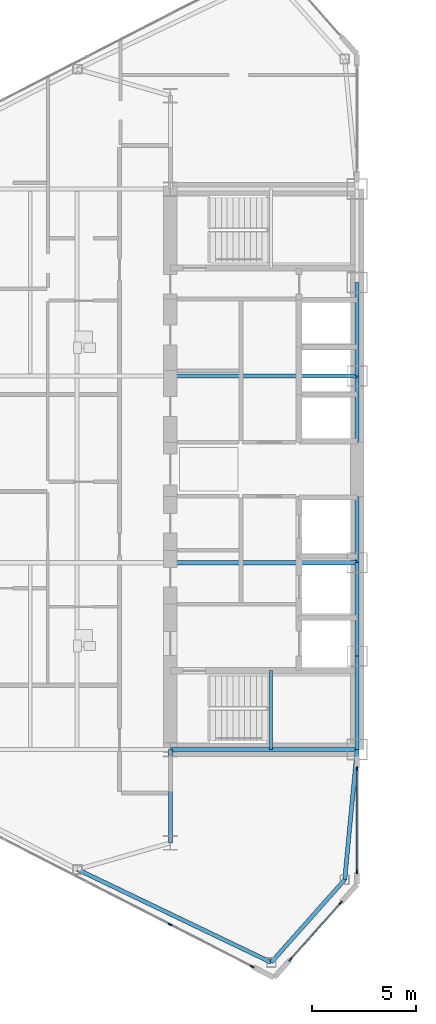
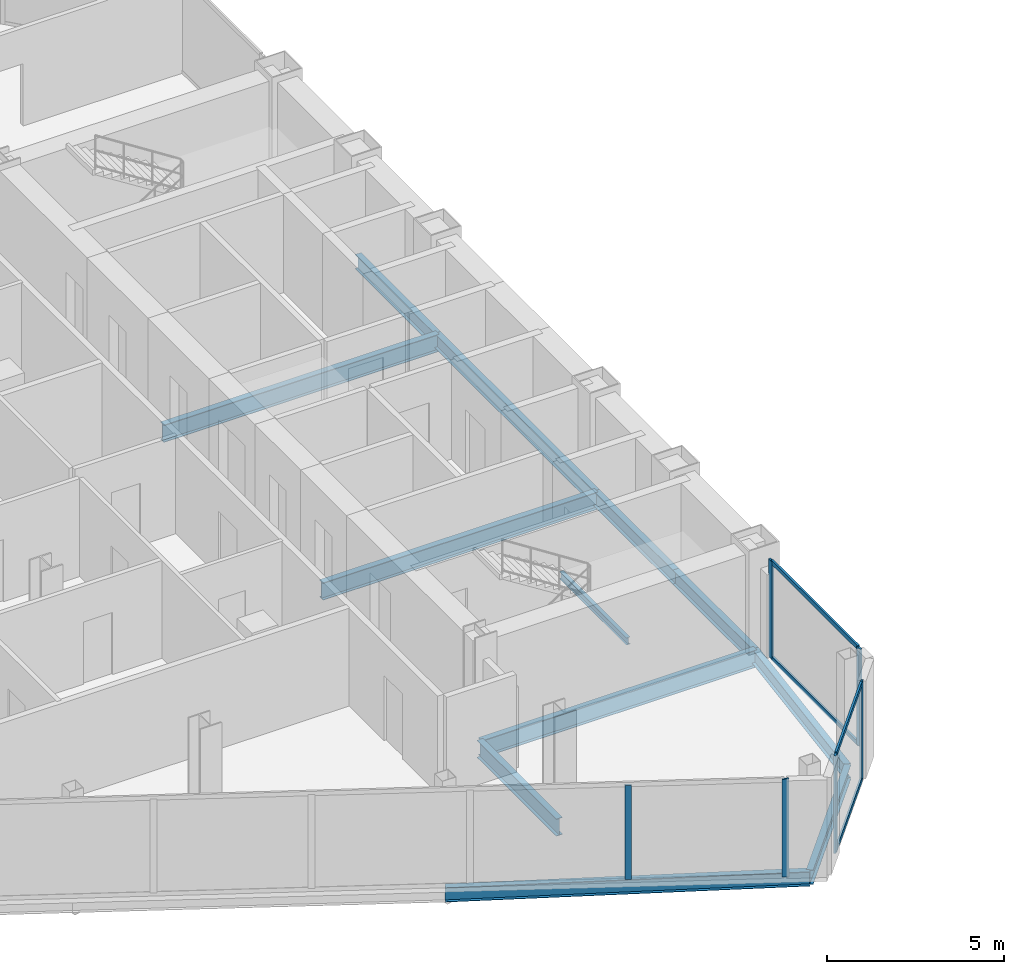
# One storey, part 5 of 24: 12 beams, 10 members, 3 elements without a shape of their own.
"""IFC4 building model written with IfcOpenShell, lengths in metres."""

from ifc_helpers import new_model, si_unit, direction, frame, origin, origin_2d, place, context, subcontext, project, spatial, rectangle, i_section, extrude, source, transform, mapped, material, layer, layer_set, material_profile, profile_set, type_object, type_shapes, element, aggregate, save


model = new_model("IFC4")

# Units and contexts
model_context = context("Model", 3, precision=1e-05, world=origin(), true_north=direction((0.0, 1.0)))
body_context = subcontext(model_context, "Body", "Model", "MODEL_VIEW")
ifc_project = project(units=[si_unit("LENGTHUNIT", "METRE"), si_unit("AREAUNIT", "SQUARE_METRE"), si_unit("VOLUMEUNIT", "CUBIC_METRE"), si_unit("PLANEANGLEUNIT", "RADIAN"), si_unit("MASSUNIT", "GRAM", prefix="KILO")], contexts=[model_context])

# Site, building, storey
site_placement = place(None, origin())
site = spatial("IfcSite", under=ifc_project, at=site_placement, CompositionType="ELEMENT")
building_placement = place(site_placement, origin())
building = spatial("IfcBuilding", under=site, at=building_placement, Name="Seokmaru Belvedere", CompositionType="ELEMENT")
storey_placement = place(building_placement, frame((0.0, 0.0, 117.60009765625)))
storey = spatial("IfcBuildingStorey", under=building, at=storey_placement, Name="L31", CompositionType="ELEMENT", Elevation=117.60009765625)

# Beams
ifc_material_1 = material(Name="Steel SM355 (355 MPa)", Category="steel")
ifc_material_profile_1 = material_profile(ifc_material_1, i_section(OverallWidth=0.199951171875, OverallDepth=0.5, WebThickness=0.010009765625, FlangeThickness=0.01611328125, at=origin_2d()), Name="H-500x200x10x16")
ifc_profile_set_1 = profile_set([ifc_material_profile_1], Name="Steel SM355 (355 MPa)")
beam_type_1 = type_object("IfcBeamType", Name="Perimeter Spandrel Beam H-500", PredefinedType="SPANDREL", material=ifc_profile_set_1)
shared_shape_1 = source(origin(), body_context, "Body", "SweptSolid", [
    extrude(i_section(OverallWidth=0.199951171875, OverallDepth=0.5, WebThickness=0.010009765625, FlangeThickness=0.01611328125, at=origin_2d()), origin(), (0.0, 0.0, 1.0), 4.5),
])
for number, where, z_axis, x_axis, name in (
    (1, (-27.5, -13.5, -0.47021484375), (0.0, 1.0, 0.0), (-1.0, 0.0, 0.0), "L31 W Portal Spine Spandrel 1"),
    (2, (-27.5, -9.0, -0.47021484375), (0.0, 1.0, 0.0), (-1.0, 0.0, 0.0), "L31 W Portal Spine Spandrel 2"),
    (3, (-27.5, 4.5, -0.47021484375), (0.0, 1.0, 0.0), (-1.0, 0.0, 0.0), "L31 W Portal Spine Spandrel 4"),
):
    element("IfcBeam", number, at=place(storey_placement, frame(where, z_axis=z_axis, x_axis=x_axis)), inside=storey, type_object=beam_type_1, Name=name, PredefinedType="SPANDREL", context=body_context, shape_type="MappedRepresentation", body=[
        mapped(shared_shape_1, transform((0.0, 0.0, 0.0), scale=1.0)),
    ])
shared_shape_2 = source(origin(), body_context, "Body", "SweptSolid", [
    extrude(i_section(OverallWidth=0.199951171875, OverallDepth=0.5, WebThickness=0.010009765625, FlangeThickness=0.01611328125, at=origin_2d()), origin(), (0.0, 0.0, 1.0), 9.0),
])
beam_1_placement = place(storey_placement, frame((-27.5, -4.5, -0.47021484375), z_axis=(0.0, 1.0, 0.0), x_axis=(-1.0, 0.0, 0.0)))
element("IfcBeam", 4, at=beam_1_placement, inside=storey, type_object=beam_type_1, Name="L31 W Portal Spine Spandrel 3", PredefinedType="SPANDREL", context=body_context, shape_type="MappedRepresentation", body=[
    mapped(shared_shape_2, transform((0.0, 0.0, 0.0), scale=1.0)),
])
ifc_material_profile_2 = material_profile(ifc_material_1, i_section(OverallWidth=0.199951171875, OverallDepth=0.60009765625, WebThickness=0.010986328125, FlangeThickness=0.01708984375, at=origin_2d()), Name="H-600x200x11x17")
ifc_profile_set_2 = profile_set([ifc_material_profile_2], Name="Steel SM355 (355 MPa)")
beam_type_2 = type_object("IfcBeamType", Name="Primary Floor Girder H-600", PredefinedType="BEAM", material=ifc_profile_set_2)
shared_shape_3 = source(origin(), body_context, "Body", "SweptSolid", [
    extrude(i_section(OverallWidth=0.199951171875, OverallDepth=0.60009765625, WebThickness=0.010986328125, FlangeThickness=0.01708984375, at=origin_2d()), origin(), (0.0, 0.0, 1.0), 9.0),
])
for number, where, z_axis, x_axis, name in (
    (5, (-36.5, -13.5, -0.52001953125), (1.0, 0.0, 0.0), (0.0, 1.0, 0.0), "L31 W Core Tie Girder 1"),
    (6, (-36.5, -4.5, -0.52001953125), (1.0, 0.0, 0.0), (0.0, 1.0, 0.0), "L31 W Core Tie Girder 2"),
    (7, (-36.5, 4.5, -0.52001953125), (1.0, 0.0, 0.0), (0.0, 1.0, 0.0), "L31 W Core Tie Girder 3"),
):
    element("IfcBeam", number, at=place(storey_placement, frame(where, z_axis=z_axis, x_axis=x_axis)), inside=storey, type_object=beam_type_2, Name=name, PredefinedType="BEAM", context=body_context, shape_type="MappedRepresentation", body=[
        mapped(shared_shape_3, transform((0.0, 0.0, 0.0), scale=1.0)),
    ])
shared_shape_4 = source(origin(), body_context, "Body", "SweptSolid", [
    extrude(i_section(OverallWidth=0.199951171875, OverallDepth=0.60009765625, WebThickness=0.010986328125, FlangeThickness=0.01708984375, at=origin_2d()), origin(), (0.0, 0.0, 1.0), 4.5),
])
type_shapes(beam_type_2, [shared_shape_3, shared_shape_4])
beam_2_placement = place(storey_placement, frame((-36.5, -18.0, -0.52001953125), z_axis=(0.0, 1.0, 0.0), x_axis=(-1.0, 0.0, 0.0)))
element("IfcBeam", 8, at=beam_2_placement, inside=storey, type_object=beam_type_2, Name="L31 W Core Shoulder Girder S", PredefinedType="BEAM", context=body_context, shape_type="MappedRepresentation", body=[
    mapped(shared_shape_4, transform((0.0, 0.0, 0.0), scale=1.0)),
])
shared_shape_5 = source(origin(), body_context, "Body", "SweptSolid", [
    extrude(i_section(OverallWidth=0.199951171875, OverallDepth=0.5, WebThickness=0.010009765625, FlangeThickness=0.01611328125, at=origin_2d()), origin(), (0.0, 0.0, 1.0), 10.353759765625),
])
beam_3_placement = place(storey_placement, frame((-31.6396484375, -23.75390625, -0.47021484375), z_axis=(-0.901713202822, 0.432334708134, 0.0), x_axis=(-0.432334708134, -0.901713202822, 0.0)))
element("IfcBeam", 9, at=beam_3_placement, inside=storey, type_object=beam_type_1, Name="L31 W Faceted Flank Spandrel S-1", PredefinedType="SPANDREL", context=body_context, shape_type="MappedRepresentation", body=[
    mapped(shared_shape_5, transform((0.0, 0.0, 0.0), scale=1.0)),
])
shared_shape_6 = source(origin(), body_context, "Body", "SweptSolid", [
    extrude(i_section(OverallWidth=0.199951171875, OverallDepth=0.5, WebThickness=0.010009765625, FlangeThickness=0.01611328125, at=origin_2d()), origin(), (0.0, 0.0, 1.0), 5.32763671875),
])
beam_4_placement = place(storey_placement, frame((-31.6396484375, -23.75390625, -0.47021484375), z_axis=(0.66436952742, 0.74740426212, 0.0), x_axis=(-0.74740426212, 0.66436952742, 0.0)))
element("IfcBeam", 10, at=beam_4_placement, inside=storey, type_object=beam_type_1, Name="L31 W Shoulder Chamfer Spandrel S", PredefinedType="SPANDREL", context=body_context, shape_type="MappedRepresentation", body=[
    mapped(shared_shape_6, transform((0.0, 0.0, 0.0), scale=1.0)),
])
shared_shape_7 = source(origin(), body_context, "Body", "SweptSolid", [
    extrude(i_section(OverallWidth=0.199951171875, OverallDepth=0.5, WebThickness=0.010009765625, FlangeThickness=0.01611328125, at=origin_2d()), origin(), (0.0, 0.0, 1.0), 6.300537109375),
])
type_shapes(beam_type_1, [shared_shape_1, shared_shape_2, shared_shape_5, shared_shape_6, shared_shape_7])
beam_5_placement = place(storey_placement, frame((-28.10009765625, -19.77197265625, -0.47021484375), z_axis=(0.095244287992, 0.995453929424, 0.0), x_axis=(-0.995453929424, 0.095244287992, 0.0)))
element("IfcBeam", 11, at=beam_5_placement, inside=storey, type_object=beam_type_1, Name="L31 W Shoulder Spine Spandrel S", PredefinedType="SPANDREL", context=body_context, shape_type="MappedRepresentation", body=[
    mapped(shared_shape_7, transform((0.0, 0.0, 0.0), scale=1.0)),
])

# Curtain wall, members
ifc_material_2 = material(Name="Bronze Triple Insulating Glass", Category="glass")
ifc_layer = layer(ifc_material_2, 0.195068359375)
ifc_layer_set = layer_set([ifc_layer], Name="Bronze Triple Insulating Glass")
curtain_wall_type = type_object("IfcCurtainWallType", Name="Sky-Lobby and Mid-Rise Curtain Wall System CW-4", PredefinedType="NOTDEFINED", material=ifc_layer_set)
curtain_wall_1_placement = place(storey_placement, origin())
curtain_wall_1 = element("IfcCurtainWall", 12, at=curtain_wall_1_placement, inside=storey, type_object=curtain_wall_type, Name="L31 Curtain Wall WSP_1", PredefinedType="NOTDEFINED")
ifc_material_3 = material(Name="Anodised Bronze Aluminium", Category="aluminium")
ifc_material_profile_3 = material_profile(ifc_material_3, rectangle(XDim=0.070068359375, YDim=0.195068359375, at=origin_2d()), Name="CW-M-70x195")
ifc_profile_set_3 = profile_set([ifc_material_profile_3], Name="Anodised Bronze Aluminium")
member_type_1 = type_object("IfcMemberType", Name="Bronze Unitised Mullion 70x195", PredefinedType="MULLION", material=ifc_profile_set_3)
shared_shape_8 = source(origin(), body_context, "Body", "SweptSolid", [
    extrude(rectangle(XDim=0.070068359375, YDim=0.195068359375, at=origin_2d()), origin(), (0.0, 0.0, 1.0), 3.3798828125),
])
member_1_placement = place(storey_placement, frame((-27.5, -19.39501953125, 0.0), z_axis=(0.0, 0.0, 1.0), x_axis=(-1.0, 0.0, 0.0)))
member_1 = element("IfcMember", 13, at=member_1_placement, type_object=member_type_1, Name="CW:L31:WSP_1 Mullion 1", PredefinedType="MULLION", context=body_context, shape_type="MappedRepresentation", body=[
    mapped(shared_shape_8, transform((0.0, 0.0, 0.0), scale=1.0)),
])
member_2_placement = place(storey_placement, frame((-27.5, -14.4150390625, 0.0), z_axis=(0.0, 0.0, 1.0), x_axis=(-1.0, 0.0, 0.0)))
member_2 = element("IfcMember", 14, at=member_2_placement, type_object=member_type_1, Name="CW:L31:WSP_1 Mullion 2", PredefinedType="MULLION", context=body_context, shape_type="MappedRepresentation", body=[
    mapped(shared_shape_8, transform((0.0, 0.0, 0.0), scale=1.0)),
])

# Curtain wall, member
curtain_wall_2_placement = place(storey_placement, origin())
curtain_wall_2 = element("IfcCurtainWall", 15, at=curtain_wall_2_placement, inside=storey, type_object=curtain_wall_type, Name="L31 Curtain Wall WF5", PredefinedType="NOTDEFINED")
member_3_placement = place(storey_placement, frame((-32.55419921875, -23.958984375, 0.0), z_axis=(0.0, 0.0, 1.0), x_axis=(0.456554528263, 0.889695432562, 0.0)))
member_3 = element("IfcMember", 16, at=member_3_placement, type_object=member_type_1, Name="CW:L31:WF5 Mullion 10", PredefinedType="MULLION", context=body_context, shape_type="MappedRepresentation", body=[
    mapped(shared_shape_8, transform((0.0, 0.0, 0.0), scale=1.0)),
])

# Curtain wall, members
curtain_wall_3_placement = place(storey_placement, origin())
curtain_wall_3 = element("IfcCurtainWall", 17, at=curtain_wall_3_placement, inside=storey, type_object=curtain_wall_type, Name="L31 Curtain Wall WF6", PredefinedType="NOTDEFINED")
member_4_placement = place(storey_placement, frame((-30.712646484375, -23.6142578125, 0.0), z_axis=(0.0, 0.0, 1.0), x_axis=(-0.747409774804, 0.664363325694, 0.0)))
member_4 = element("IfcMember", 18, at=member_4_placement, type_object=member_type_1, Name="CW:L31:WF6 Mullion 1", PredefinedType="MULLION", context=body_context, shape_type="MappedRepresentation", body=[
    mapped(shared_shape_8, transform((0.0, 0.0, 0.0), scale=1.0)),
])
member_5_placement = place(storey_placement, frame((-28.287353515625, -20.8857421875, 0.0), z_axis=(0.0, 0.0, 1.0), x_axis=(-0.747409774804, 0.664363325694, 0.0)))
member_5 = element("IfcMember", 19, at=member_5_placement, type_object=member_type_1, Name="CW:L31:WF6 Mullion 2", PredefinedType="MULLION", context=body_context, shape_type="MappedRepresentation", body=[
    mapped(shared_shape_8, transform((0.0, 0.0, 0.0), scale=1.0)),
])

# Member
ifc_material_profile_4 = material_profile(ifc_material_3, rectangle(XDim=0.06494140625, YDim=0.14990234375, at=origin_2d()), Name="CW-T-65x150")
ifc_profile_set_4 = profile_set([ifc_material_profile_4], Name="Anodised Bronze Aluminium")
member_type_2 = type_object("IfcMemberType", Name="Bronze Unitised Transom 65x150", PredefinedType="USERDEFINED", material=ifc_profile_set_4)
shared_shape_9 = source(origin(), body_context, "Body", "SweptSolid", [
    extrude(rectangle(XDim=0.06494140625, YDim=0.14990234375, at=origin_2d()), origin(), (0.0, 0.0, 1.0), 4.91015625),
])
member_6_placement = place(storey_placement, frame((-27.5, -19.360107421875, 0.032470703125), z_axis=(0.0, 1.0, 0.0), x_axis=(-1.0, 0.0, 0.0)))
member_6 = element("IfcMember", 20, at=member_6_placement, type_object=member_type_2, Name="CW:L31:WSP_1 Continuous Transom 1", ObjectType="TRANSOM", PredefinedType="USERDEFINED", context=body_context, shape_type="MappedRepresentation", body=[
    mapped(shared_shape_9, transform((0.0, 0.0, 0.0), scale=1.0)),
])

member_7_placement = place(storey_placement, frame((-27.5, -19.360107421875, 3.347412109375), z_axis=(0.0, 1.0, 0.0), x_axis=(-1.0, 0.0, 0.0)))
member_7 = element("IfcMember", 21, at=member_7_placement, type_object=member_type_2, Name="CW:L31:WSP_1 Continuous Transom 2", ObjectType="TRANSOM", PredefinedType="USERDEFINED", context=body_context, shape_type="MappedRepresentation", body=[
    mapped(shared_shape_9, transform((0.0, 0.0, 0.0), scale=1.0)),
])

aggregate(curtain_wall_1, [member_1, member_2, member_6, member_7])

shared_shape_10 = source(origin(), body_context, "Body", "SweptSolid", [
    extrude(rectangle(XDim=0.06494140625, YDim=0.14990234375, at=origin_2d()), origin(), (0.0, 0.0, 1.0), 3.580810546875),
])
type_shapes(member_type_2, [shared_shape_9, shared_shape_10])
member_8_placement = place(storey_placement, frame((-30.689453125, -23.588134765625, 0.032470703125), z_axis=(0.66436383883, 0.747409318684, 0.0), x_axis=(-0.747409318684, 0.66436383883, 0.0)))
member_8 = element("IfcMember", 22, at=member_8_placement, type_object=member_type_2, Name="CW:L31:WF6 Continuous Transom 1", ObjectType="TRANSOM", PredefinedType="USERDEFINED", context=body_context, shape_type="MappedRepresentation", body=[
    mapped(shared_shape_10, transform((0.0, 0.0, 0.0), scale=1.0)),
])

member_9_placement = place(storey_placement, frame((-30.689453125, -23.588134765625, 3.347412109375), z_axis=(0.66436383883, 0.747409318684, 0.0), x_axis=(-0.747409318684, 0.66436383883, 0.0)))
member_9 = element("IfcMember", 23, at=member_9_placement, type_object=member_type_2, Name="CW:L31:WF6 Continuous Transom 2", ObjectType="TRANSOM", PredefinedType="USERDEFINED", context=body_context, shape_type="MappedRepresentation", body=[
    mapped(shared_shape_10, transform((0.0, 0.0, 0.0), scale=1.0)),
])

aggregate(curtain_wall_3, [member_4, member_5, member_8, member_9])

shared_shape_11 = source(origin(), body_context, "Body", "SweptSolid", [
    extrude(rectangle(XDim=0.070068359375, YDim=0.195068359375, at=origin_2d()), origin(), (0.0, 0.0, 1.0), 3.25),
])
type_shapes(member_type_1, [shared_shape_8, shared_shape_11])
member_10_placement = place(storey_placement, frame((-36.51806640625, -21.925048828125, 0.06494140625), z_axis=(0.0, 0.0, 1.0), x_axis=(0.456554528263, 0.889695432562, 0.0)))
member_10 = element("IfcMember", 24, at=member_10_placement, type_object=member_type_1, Name="CW:L31:WF5 Mullion 9", PredefinedType="MULLION", context=body_context, shape_type="MappedRepresentation", body=[
    mapped(shared_shape_11, transform((0.0, 0.0, 0.0), scale=1.0)),
])

aggregate(curtain_wall_2, [member_10, member_3])

# Beam
ifc_material_profile_5 = material_profile(ifc_material_1, i_section(OverallWidth=0.125, OverallDepth=0.25, WebThickness=0.006103515625, FlangeThickness=0.009033203125, at=origin_2d()), Name="H-250x125x6x9")
ifc_profile_set_5 = profile_set([ifc_material_profile_5], Name="Steel SM355 (355 MPa)")
beam_type_3 = type_object("IfcBeamType", Name="Stair Mid-Landing Support Beam H-250", PredefinedType="JOIST", material=ifc_profile_set_5)
shared_shape_12 = source(origin(), body_context, "Body", "SweptSolid", [
    extrude(i_section(OverallWidth=0.125, OverallDepth=0.25, WebThickness=0.006103515625, FlangeThickness=0.009033203125, at=origin_2d()), origin(), (0.0, 0.0, 1.0), 3.800048828125),
])
type_shapes(beam_type_3, [shared_shape_12])
beam_6_placement = place(storey_placement, frame((-31.64990234375, -13.5, 1.474853515625), z_axis=(0.0, 1.0, 0.0), x_axis=(-1.0, 0.0, 0.0)))
element("IfcBeam", 25, at=beam_6_placement, inside=storey, type_object=beam_type_3, Name="L31 Stair ST-W1 Mid-Landing Support Beam 1", PredefinedType="JOIST", context=body_context, shape_type="MappedRepresentation", body=[
    mapped(shared_shape_12, transform((0.0, 0.0, 0.0), scale=1.0)),
])

save(model, "model.ifc")
